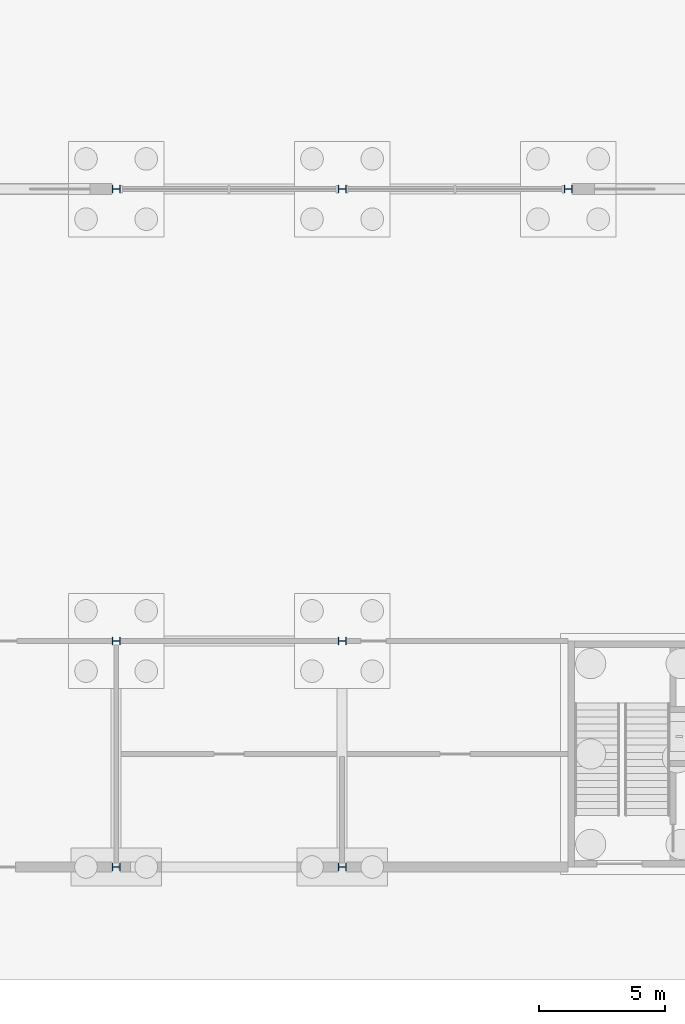
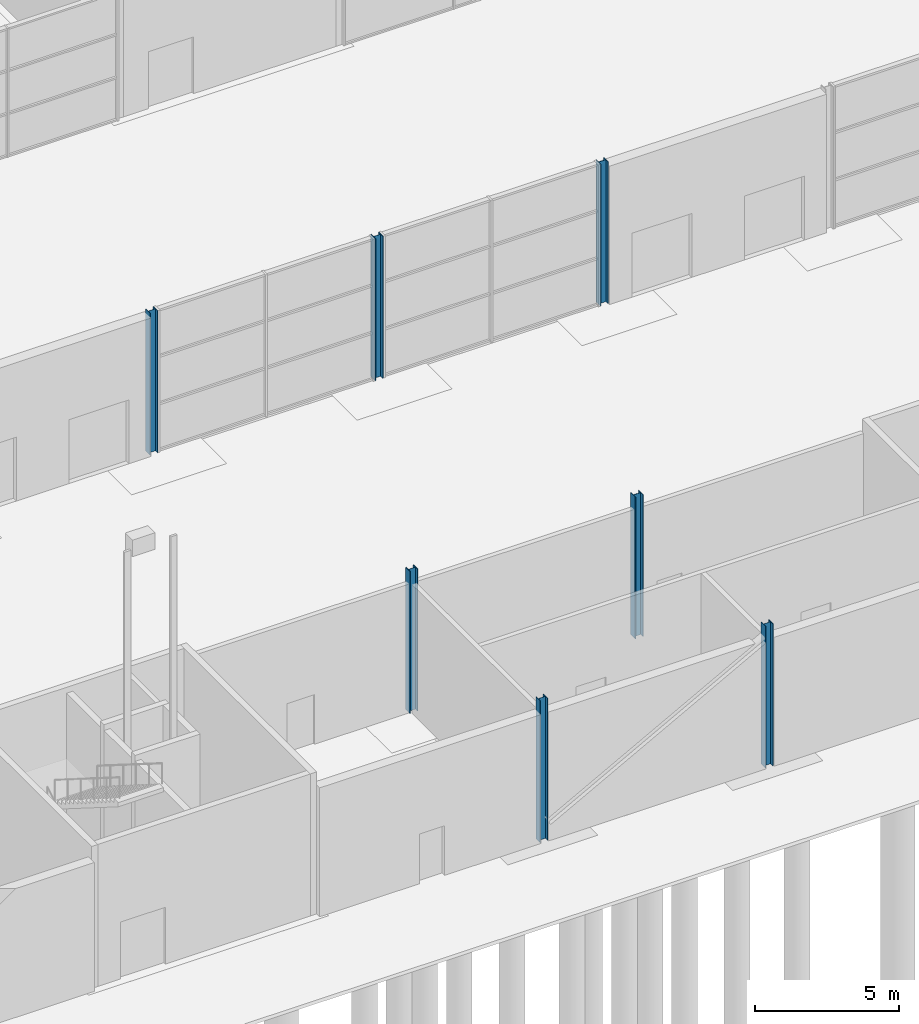
# One storey, part 11 of 97: 7 columns.
"""IFC4 building model written with IfcOpenShell, lengths in metres."""

from ifc_helpers import new_model, si_unit, direction, frame, origin, origin_2d, place, context, subcontext, project, spatial, i_section, extrude, material, material_profile, profile_set, type_object, element, save


model = new_model("IFC4")

# Units and contexts
model_context = context("Model", 3, precision=1e-05, world=origin(), true_north=direction((0.0, 1.0)))
body_context = subcontext(model_context, "Body", "Model", "MODEL_VIEW")
ifc_project = project(units=[si_unit("LENGTHUNIT", "METRE"), si_unit("AREAUNIT", "SQUARE_METRE"), si_unit("VOLUMEUNIT", "CUBIC_METRE"), si_unit("PLANEANGLEUNIT", "RADIAN"), si_unit("MASSUNIT", "GRAM", prefix="KILO")], contexts=[model_context])

# Site, building, storey
site_placement = place(None, origin())
site = spatial("IfcSite", under=ifc_project, at=site_placement, CompositionType="ELEMENT")
building_placement = place(site_placement, origin())
building = spatial("IfcBuilding", under=site, at=building_placement, Name="Corbel Yard City Hall", CompositionType="ELEMENT")
storey_placement = place(building_placement, origin())
storey = spatial("IfcBuildingStorey", under=building, at=storey_placement, Name="L00", CompositionType="ELEMENT", Elevation=0.0)

# Columns
ifc_material = material(Name="Steel Grade 300 (300 MPa yield)", Category="steel")
ifc_material_profile_1 = material_profile(ifc_material, i_section(OverallWidth=0.306884765625, OverallDepth=0.31494140625, WebThickness=0.011962890625, FlangeThickness=0.018798828125, at=origin_2d()), Name="310UC118")
ifc_profile_set_1 = profile_set([ifc_material_profile_1], Name="Steel Grade 300 (300 MPa yield)")
column_type_1 = type_object("IfcColumnType", Name="Column 310UC118", PredefinedType="COLUMN", material=ifc_profile_set_1)
for number, where, z_axis, x_axis, name in (
    (1, (99.0, 0.0, 0.0), (0.0, 0.0, 1.0), (0.0, 1.0, 0.0), "Column 310UC118 A/12 L00"),
    (2, (108.0, 0.0, 0.0), (0.0, 0.0, 1.0), (0.0, 1.0, 0.0), "Column 310UC118 A/13 L00"),
):
    element("IfcColumn", number, at=place(storey_placement, frame(where, z_axis=z_axis, x_axis=x_axis)), inside=storey, type_object=column_type_1, Name=name, PredefinedType="COLUMN", context=body_context, shape_type="SweptSolid", body=[
        extrude(i_section(OverallWidth=0.306884765625, OverallDepth=0.31494140625, WebThickness=0.011962890625, FlangeThickness=0.018798828125, at=origin_2d()), origin(), (0.0, 0.0, 1.0), 6.0),
    ])
ifc_material_profile_2 = material_profile(ifc_material, i_section(OverallWidth=0.31103515625, OverallDepth=0.326904296875, WebThickness=0.015625, FlangeThickness=0.02490234375, at=origin_2d()), Name="310UC158")
ifc_profile_set_2 = profile_set([ifc_material_profile_2], Name="Steel Grade 300 (300 MPa yield)")
column_type_2 = type_object("IfcColumnType", Name="Column 310UC158", PredefinedType="COLUMN", material=ifc_profile_set_2)
for number, where, z_axis, x_axis, name in (
    (3, (99.0, 9.0, 0.0), (0.0, 0.0, 1.0), (0.0, 1.0, 0.0), "Column 310UC158 B/12 L00"),
    (4, (99.0, 27.0, 0.0), (0.0, 0.0, 1.0), (0.0, 1.0, 0.0), "Column 310UC158 D/12 L00"),
    (5, (108.0, 9.0, 0.0), (0.0, 0.0, 1.0), (0.0, 1.0, 0.0), "Column 310UC158 B/13 L00"),
    (6, (108.0, 27.0, 0.0), (0.0, 0.0, 1.0), (0.0, 1.0, 0.0), "Column 310UC158 D/13 L00"),
    (7, (117.0, 27.0, 0.0), (0.0, 0.0, 1.0), (0.0, 1.0, 0.0), "Column 310UC158 D/14 L00"),
):
    element("IfcColumn", number, at=place(storey_placement, frame(where, z_axis=z_axis, x_axis=x_axis)), inside=storey, type_object=column_type_2, Name=name, PredefinedType="COLUMN", context=body_context, shape_type="SweptSolid", body=[
        extrude(i_section(OverallWidth=0.31103515625, OverallDepth=0.326904296875, WebThickness=0.015625, FlangeThickness=0.02490234375, at=origin_2d()), origin(), (0.0, 0.0, 1.0), 6.0),
    ])

save(model, "model.ifc")
